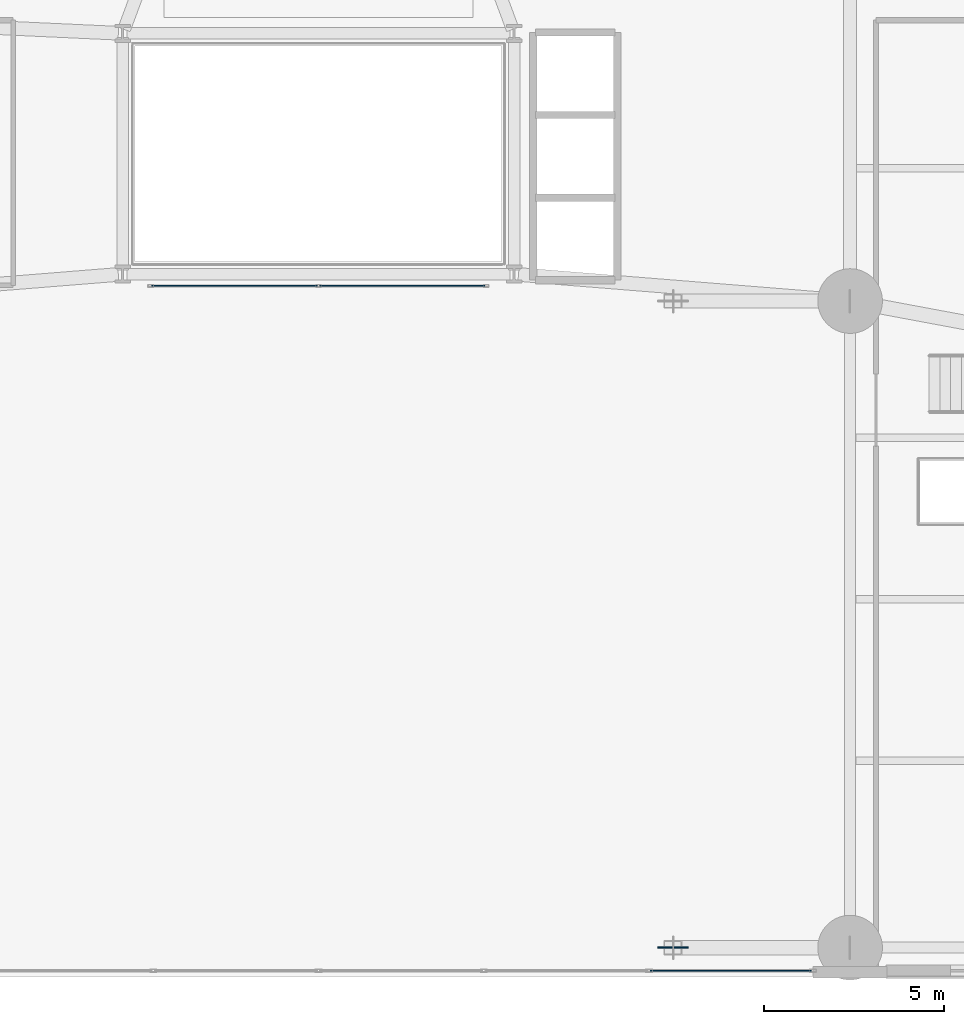
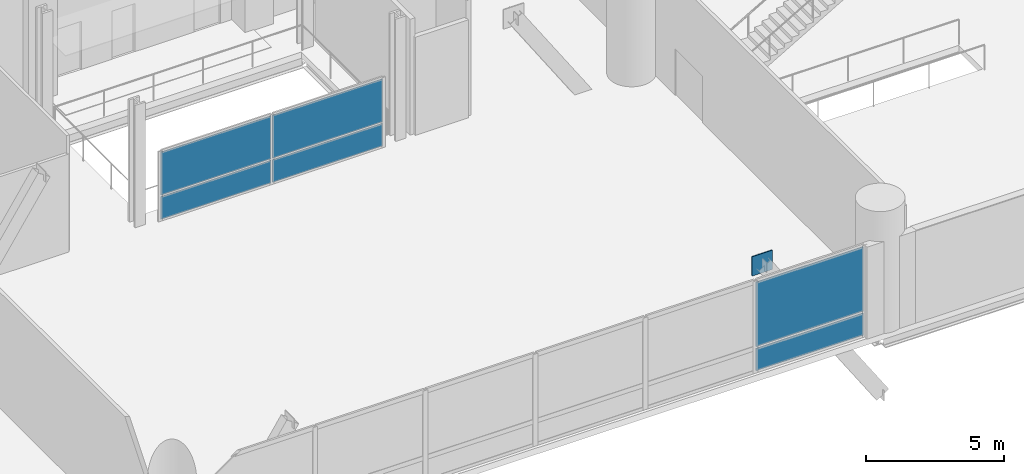
# One storey, part 25 of 40: 7 plates, 2 elements without a shape of their own.
"""IFC4 building model written with IfcOpenShell, lengths in metres."""

from ifc_helpers import new_model, si_unit, direction, frame, origin, origin_2d, place, context, subcontext, project, spatial, rectangle, extrude, source, transform, mapped, material, layer, layer_set, type_object, element, aggregate, save


model = new_model("IFC4")

# Units and contexts
model_context = context("Model", 3, precision=1e-05, world=origin(), true_north=direction((0.0, 1.0)))
body_context = subcontext(model_context, "Body", "Model", "MODEL_VIEW")
ifc_project = project(units=[si_unit("LENGTHUNIT", "METRE"), si_unit("AREAUNIT", "SQUARE_METRE"), si_unit("VOLUMEUNIT", "CUBIC_METRE"), si_unit("PLANEANGLEUNIT", "RADIAN"), si_unit("MASSUNIT", "GRAM", prefix="KILO")], contexts=[model_context])

# Site, building, storey
site_placement = place(None, origin())
site = spatial("IfcSite", under=ifc_project, at=site_placement, CompositionType="ELEMENT")
building_placement = place(site_placement, origin())
building = spatial("IfcBuilding", under=site, at=building_placement, Name="Varnelok Gate Tower", CompositionType="ELEMENT")
storey_placement = place(building_placement, frame((0.0, 0.0, 5.39990234375)))
storey = spatial("IfcBuildingStorey", under=building, at=storey_placement, Name="L01", CompositionType="ELEMENT", Elevation=5.39990234375)

# Plate
ifc_material_1 = material(Name="Structural Steel ASTM A572 Grade 50", Category="steel")
ifc_layer_1 = layer(ifc_material_1, 0.0400390625)
ifc_layer_set_1 = layer_set([ifc_layer_1], Name="Structural Steel ASTM A572 Grade 50")
plate_type_1 = type_object("IfcPlateType", Name="PLT-GUSSET-40", PredefinedType="USERDEFINED", material=ifc_layer_set_1)
shared_shape_1 = source(origin(), body_context, "Body", "SweptSolid", [
    extrude(rectangle(XDim=0.85009765625, YDim=0.0400390625, at=origin_2d()), origin(), (0.0, 0.0, 1.0), 0.85009765625),
])
plate_1_placement = place(storey_placement, frame((49.066650390625, 0.800048828125, 3.808349609375), z_axis=(0.0, 0.0, 1.0), x_axis=(1.0, 0.0, 0.0)))
element("IfcPlate", 1, at=plate_1_placement, inside=storey, type_object=plate_type_1, Name="Giant Arch Node Gusset Plate AN-5", ObjectType="GUSSET PLATE", PredefinedType="USERDEFINED", context=body_context, shape_type="MappedRepresentation", body=[
    mapped(shared_shape_1, transform((0.0, 0.0, 0.0), scale=1.0)),
])

# Curtain wall, plates
ifc_material_2 = material(Name="Anodized Aluminum Alloy 6063-T6", Category="aluminium")
ifc_layer_2 = layer(ifc_material_2, 0.179931640625)
ifc_layer_set_2 = layer_set([ifc_layer_2], Name="Anodized Aluminum Alloy 6063-T6")
curtain_wall_type_1 = type_object("IfcCurtainWallType", Name="CW1-ARCH-PORTAL", PredefinedType="USERDEFINED", material=ifc_layer_set_2)
curtain_wall_1_placement = place(storey_placement, origin())
curtain_wall_1 = element("IfcCurtainWall", 2, at=curtain_wall_1_placement, inside=storey, type_object=curtain_wall_type_1, Name="L01 Giant Arch Portal Glazed Curtain Wall", ObjectType="UNITISED CURTAIN WALL", PredefinedType="USERDEFINED")
ifc_material_3 = material(Name="Low-E Laminated Double Glazing IGU", Category="glass")
ifc_layer_3 = layer(ifc_material_3, 0.028076171875)
ifc_layer_set_3 = layer_set([ifc_layer_3], Name="Low-E Laminated Double Glazing IGU")
plate_type_2 = type_object("IfcPlateType", Name="CW-PNL-IGU28", PredefinedType="CURTAIN_PANEL", material=ifc_layer_set_3)
shared_shape_2 = source(origin(), body_context, "Body", "SweptSolid", [
    extrude(rectangle(XDim=4.487548828125, YDim=0.028076171875, at=origin_2d()), origin(), (0.0, 0.0, 1.0), 0.987548828125),
])
plate_2_placement = place(storey_placement, frame((50.68115234375, 0.159912109375, 0.0751953125), z_axis=(0.0, 0.0, 1.0), x_axis=(-1.0, 0.0, 0.0)))
plate_2 = element("IfcPlate", 3, at=plate_2_placement, type_object=plate_type_2, Name="CW1 panel 1.1", PredefinedType="CURTAIN_PANEL", context=body_context, shape_type="MappedRepresentation", body=[
    mapped(shared_shape_2, transform((0.0, 0.0, 0.0), scale=1.0)),
])
shared_shape_3 = source(origin(), body_context, "Body", "SweptSolid", [
    extrude(rectangle(XDim=4.487548828125, YDim=0.028076171875, at=origin_2d()), origin(), (0.0, 0.0, 1.0), 2.857421875),
])
plate_3_placement = place(storey_placement, frame((50.68115234375, 0.159912109375, 1.1376953125), z_axis=(0.0, 0.0, 1.0), x_axis=(-1.0, 0.0, 0.0)))
plate_3 = element("IfcPlate", 4, at=plate_3_placement, type_object=plate_type_2, Name="CW1 panel 1.2", PredefinedType="CURTAIN_PANEL", context=body_context, shape_type="MappedRepresentation", body=[
    mapped(shared_shape_3, transform((0.0, 0.0, 0.0), scale=1.0)),
])
aggregate(curtain_wall_1, [plate_2, plate_3])

ifc_layer_4 = layer(ifc_material_2, 0.179931640625)
ifc_layer_set_4 = layer_set([ifc_layer_4], Name="Anodized Aluminum Alloy 6063-T6")
curtain_wall_type_2 = type_object("IfcCurtainWallType", Name="CW2-ATRIUM-GLAZING", PredefinedType="USERDEFINED", material=ifc_layer_set_4)
curtain_wall_2_placement = place(storey_placement, origin())
curtain_wall_2 = element("IfcCurtainWall", 5, at=curtain_wall_2_placement, inside=storey, type_object=curtain_wall_type_2, Name="L01 Internal Atrium Gallery Curtain Wall", ObjectType="UNITISED CURTAIN WALL", PredefinedType="USERDEFINED")
shared_shape_4 = source(origin(), body_context, "Body", "SweptSolid", [
    extrude(rectangle(XDim=4.6025390625, YDim=0.028076171875, at=origin_2d()), origin(), (0.0, 0.0, 1.0), 1.00244140625),
])
plate_4_placement = place(storey_placement, frame((36.8662109375, 19.219970703125, 0.065185546875), z_axis=(0.0, 0.0, 1.0), x_axis=(1.0, 0.0, 0.0)))
plate_4 = element("IfcPlate", 6, at=plate_4_placement, type_object=plate_type_2, Name="CW2 panel 1.1", PredefinedType="CURTAIN_PANEL", context=body_context, shape_type="MappedRepresentation", body=[
    mapped(shared_shape_4, transform((0.0, 0.0, 0.0), scale=1.0)),
])
plate_5_placement = place(storey_placement, frame((41.53369140625, 19.219970703125, 0.065185546875), z_axis=(0.0, 0.0, 1.0), x_axis=(1.0, 0.0, 0.0)))
plate_5 = element("IfcPlate", 7, at=plate_5_placement, type_object=plate_type_2, Name="CW2 panel 2.1", PredefinedType="CURTAIN_PANEL", context=body_context, shape_type="MappedRepresentation", body=[
    mapped(shared_shape_4, transform((0.0, 0.0, 0.0), scale=1.0)),
])
shared_shape_5 = source(origin(), body_context, "Body", "SweptSolid", [
    extrude(rectangle(XDim=4.6025390625, YDim=0.028076171875, at=origin_2d()), origin(), (0.0, 0.0, 1.0), 1.902587890625),
])
plate_6_placement = place(storey_placement, frame((36.8662109375, 19.219970703125, 1.13232421875), z_axis=(0.0, 0.0, 1.0), x_axis=(1.0, 0.0, 0.0)))
plate_6 = element("IfcPlate", 8, at=plate_6_placement, type_object=plate_type_2, Name="CW2 panel 1.2", PredefinedType="CURTAIN_PANEL", context=body_context, shape_type="MappedRepresentation", body=[
    mapped(shared_shape_5, transform((0.0, 0.0, 0.0), scale=1.0)),
])
plate_7_placement = place(storey_placement, frame((41.53369140625, 19.219970703125, 1.13232421875), z_axis=(0.0, 0.0, 1.0), x_axis=(1.0, 0.0, 0.0)))
plate_7 = element("IfcPlate", 9, at=plate_7_placement, type_object=plate_type_2, Name="CW2 panel 2.2", PredefinedType="CURTAIN_PANEL", context=body_context, shape_type="MappedRepresentation", body=[
    mapped(shared_shape_5, transform((0.0, 0.0, 0.0), scale=1.0)),
])
aggregate(curtain_wall_2, [plate_4, plate_6, plate_5, plate_7])

save(model, "model.ifc")
